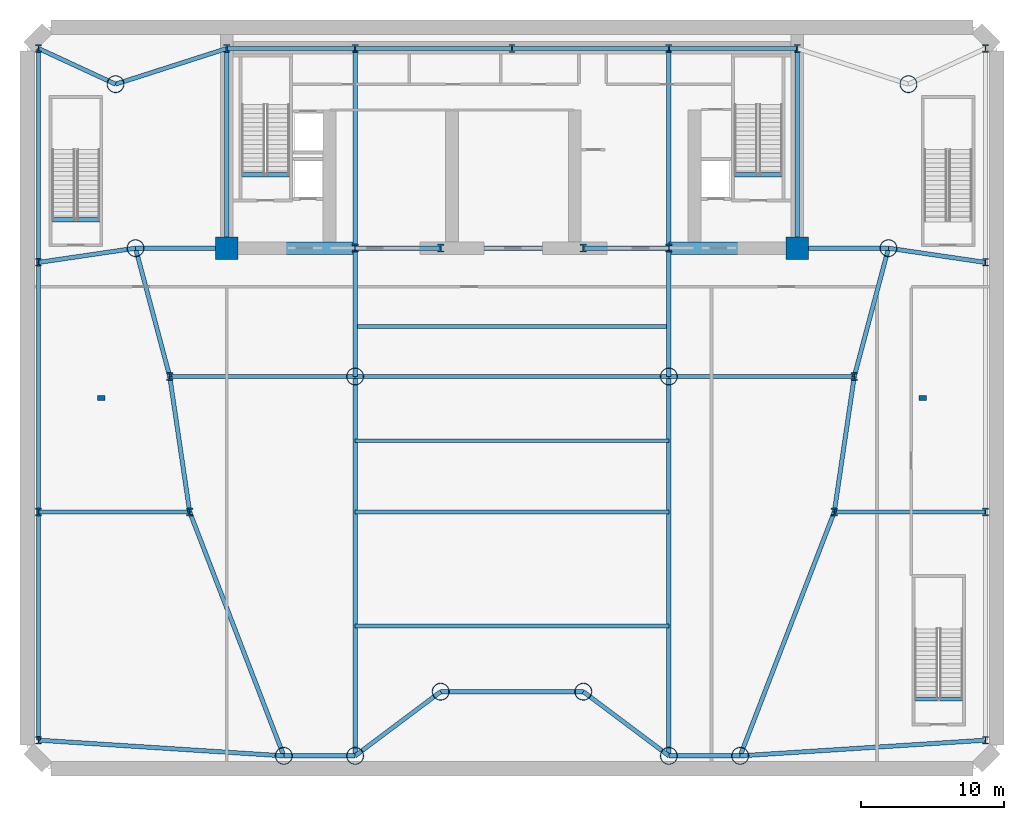
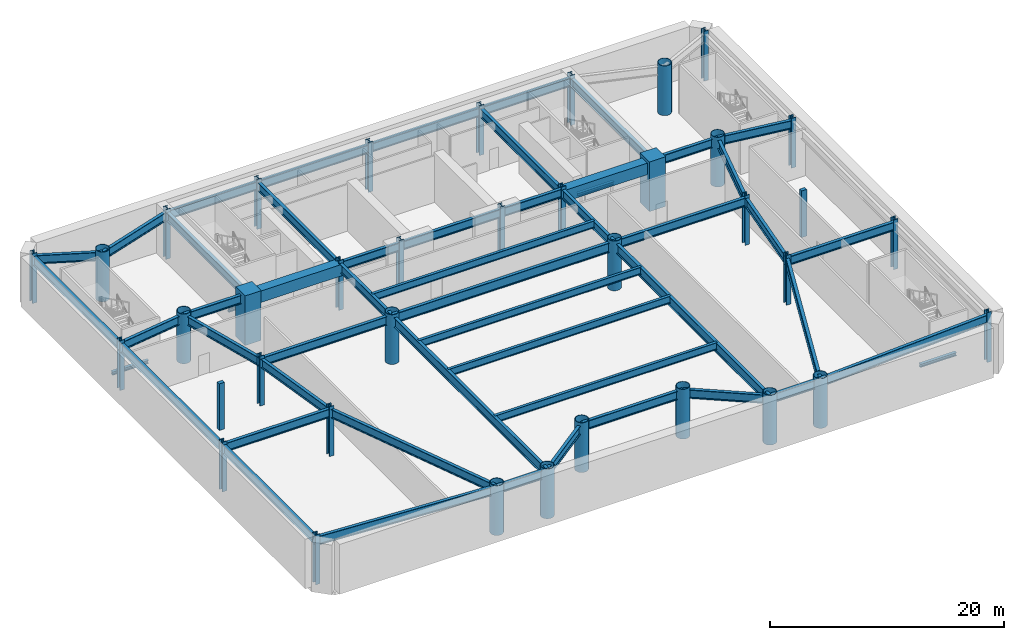
# One storey, part 1 of 9: 52 beams, 37 columns.
"""IFC4 building model written with IfcOpenShell, lengths in metres."""

from ifc_helpers import new_model, si_unit, direction, frame, origin, origin_2d, place, context, subcontext, project, spatial, rectangle, hollow_circle, i_section, extrude, source, transform, mapped, material, material_profile, profile_set, type_object, element, save


model = new_model("IFC4")

# Units and contexts
model_context = context("Model", 3, precision=1e-05, world=origin(), true_north=direction((0.0, 1.0)))
body_context = subcontext(model_context, "Body", "Model", "MODEL_VIEW")
ifc_project = project(units=[si_unit("LENGTHUNIT", "METRE"), si_unit("AREAUNIT", "SQUARE_METRE"), si_unit("VOLUMEUNIT", "CUBIC_METRE"), si_unit("PLANEANGLEUNIT", "RADIAN"), si_unit("MASSUNIT", "GRAM", prefix="KILO")], contexts=[model_context])

# Site, building, storey
site_placement = place(None, origin())
site = spatial("IfcSite", under=ifc_project, at=site_placement, CompositionType="ELEMENT")
building_placement = place(site_placement, origin())
building = spatial("IfcBuilding", under=site, at=building_placement, Name="Vaeldorn Concourse Tower", CompositionType="ELEMENT")
storey_placement = place(building_placement, frame((0.0, 0.0, -10.39990234375)))
storey = spatial("IfcBuildingStorey", under=building, at=storey_placement, Name="B02", CompositionType="ELEMENT", Elevation=-10.39990234375)

# Columns
ifc_material_1 = material(Name="Concrete C60/75", Category="concrete")
ifc_material_profile_1 = material_profile(ifc_material_1, rectangle(XDim=1.60009765625, YDim=1.60009765625, at=origin_2d()), Name="RC 1600x1600")
ifc_profile_set_1 = profile_set([ifc_material_profile_1], Name="Concrete C60/75")
column_type_1 = type_object("IfcColumnType", Name="COL-RC1600", PredefinedType="COLUMN", material=ifc_profile_set_1)
shared_shape_1 = source(origin(), body_context, "Body", "SweptSolid", [
    extrude(rectangle(XDim=1.60009765625, YDim=1.60009765625, at=origin_2d()), origin(), (0.0, 0.0, 1.0), 5.199951171875),
])
for number, where, z_axis, x_axis, name in (
    (1, (14.0, 36.5, 0.0), (0.0, 0.0, 1.0), (1.0, 0.0, 0.0), "Column C-FC1 B02"),
    (2, (54.0, 36.5, 0.0), (0.0, 0.0, 1.0), (1.0, 0.0, 0.0), "Column C-FC6 B02"),
):
    element("IfcColumn", number, at=place(storey_placement, frame(where, z_axis=z_axis, x_axis=x_axis)), inside=storey, type_object=column_type_1, Name=name, PredefinedType="COLUMN", context=body_context, shape_type="MappedRepresentation", body=[
        mapped(shared_shape_1, transform((0.0, 0.0, 0.0), scale=1.0)),
    ])
ifc_material_2 = material(Name="Steel S460", Category="steel")
ifc_material_profile_2 = material_profile(ifc_material_2, i_section(OverallWidth=0.4541015625, OverallDepth=0.569091796875, WebThickness=0.077880859375, FlangeThickness=0.080078125, FilletRadius=0.014892578125, at=origin_2d()), Name="HD 400x1086")
ifc_profile_set_2 = profile_set([ifc_material_profile_2], Name="Steel S460")
column_type_2 = type_object("IfcColumnType", Name="COL-HD1086", PredefinedType="COLUMN", material=ifc_profile_set_2)
shared_shape_2 = source(origin(), body_context, "Body", "SweptSolid", [
    extrude(i_section(OverallWidth=0.4541015625, OverallDepth=0.569091796875, WebThickness=0.077880859375, FlangeThickness=0.080078125, FilletRadius=0.014892578125, at=origin_2d()), origin(), (0.0, 0.0, 1.0), 5.199951171875),
])
for number, where, z_axis, x_axis, name in (
    (3, (23.0, 36.5, 0.0), (0.0, 0.0, 1.0), (1.0, 0.0, 0.0), "Column C-FC2 B02"),
    (4, (29.0, 36.5, 0.0), (0.0, 0.0, 1.0), (1.0, 0.0, 0.0), "Column C-FC3 B02"),
    (5, (39.0, 36.5, 0.0), (0.0, 0.0, 1.0), (1.0, 0.0, 0.0), "Column C-FC4 B02"),
    (6, (45.0, 36.5, 0.0), (0.0, 0.0, 1.0), (1.0, 0.0, 0.0), "Column C-FC5 B02"),
    (7, (14.0, 50.5, 0.0), (0.0, 0.0, 1.0), (1.0, 0.0, 0.0), "Column C-HC1 B02"),
    (8, (23.0, 50.5, 0.0), (0.0, 0.0, 1.0), (1.0, 0.0, 0.0), "Column C-HC2 B02"),
    (9, (34.0, 50.5, 0.0), (0.0, 0.0, 1.0), (1.0, 0.0, 0.0), "Column C-HC3 B02"),
    (10, (45.0, 50.5, 0.0), (0.0, 0.0, 1.0), (1.0, 0.0, 0.0), "Column C-HC4 B02"),
    (11, (54.0, 50.5, 0.0), (0.0, 0.0, 1.0), (1.0, 0.0, 0.0), "Column C-HC5 B02"),
):
    element("IfcColumn", number, at=place(storey_placement, frame(where, z_axis=z_axis, x_axis=x_axis)), inside=storey, type_object=column_type_2, Name=name, PredefinedType="COLUMN", context=body_context, shape_type="MappedRepresentation", body=[
        mapped(shared_shape_2, transform((0.0, 0.0, 0.0), scale=1.0)),
    ])
ifc_material_profile_3 = material_profile(ifc_material_2, hollow_circle(Radius=0.609619140625, WallThickness=0.050048828125, at=origin_2d()), Name="CHS 1219x50")
ifc_profile_set_3 = profile_set([ifc_material_profile_3], Name="Steel S460")
column_type_3 = type_object("IfcColumnType", Name="COL-CHS1219", PredefinedType="COLUMN", material=ifc_profile_set_3)
shared_shape_3 = source(origin(), body_context, "Body", "SweptSolid", [
    extrude(hollow_circle(Radius=0.609619140625, WallThickness=0.050048828125, at=origin_2d()), origin(), (0.0, 0.0, 1.0), 5.199951171875),
])
for number, where, z_axis, x_axis, name in (
    (12, (6.199951171875, 48.0, 0.0), (0.0, 0.0, 1.0), (1.0, 0.0, 0.0), "Column C-NW1 B02"),
    (13, (7.60009765625, 36.5, 0.0), (0.0, 0.0, 1.0), (1.0, 0.0, 0.0), "Column C-NW2 B02"),
    (14, (61.800048828125, 48.0, 0.0), (0.0, 0.0, 1.0), (1.0, 0.0, 0.0), "Column C-NE1 B02"),
    (15, (60.39990234375, 36.5, 0.0), (0.0, 0.0, 1.0), (1.0, 0.0, 0.0), "Column C-NE2 B02"),
    (16, (18.0, 0.89990234375, 0.0), (0.0, 0.0, 1.0), (1.0, 0.0, 0.0), "Column C-SM1 B02"),
    (17, (23.0, 0.89990234375, 0.0), (0.0, 0.0, 1.0), (1.0, 0.0, 0.0), "Column C-SM2 B02"),
    (18, (29.0, 5.39990234375, 0.0), (0.0, 0.0, 1.0), (1.0, 0.0, 0.0), "Column C-SM3 B02"),
    (19, (39.0, 5.39990234375, 0.0), (0.0, 0.0, 1.0), (1.0, 0.0, 0.0), "Column C-SM4 B02"),
    (20, (45.0, 0.89990234375, 0.0), (0.0, 0.0, 1.0), (1.0, 0.0, 0.0), "Column C-SM5 B02"),
    (21, (50.0, 0.89990234375, 0.0), (0.0, 0.0, 1.0), (1.0, 0.0, 0.0), "Column C-SM6 B02"),
    (22, (23.0, 27.5, 0.0), (0.0, 0.0, 1.0), (1.0, 0.0, 0.0), "Column C-TW1 B02"),
    (23, (45.0, 27.5, 0.0), (0.0, 0.0, 1.0), (1.0, 0.0, 0.0), "Column C-TW4 B02"),
):
    element("IfcColumn", number, at=place(storey_placement, frame(where, z_axis=z_axis, x_axis=x_axis)), inside=storey, type_object=column_type_3, Name=name, PredefinedType="COLUMN", context=body_context, shape_type="MappedRepresentation", body=[
        mapped(shared_shape_3, transform((0.0, 0.0, 0.0), scale=1.0)),
    ])
ifc_material_profile_4 = material_profile(ifc_material_2, i_section(OverallWidth=0.44189453125, OverallDepth=0.531005859375, WebThickness=0.06494140625, FlangeThickness=0.075927734375, FilletRadius=0.014892578125, at=origin_2d()), Name="HD 400x900")
ifc_profile_set_4 = profile_set([ifc_material_profile_4], Name="Steel S460")
column_type_4 = type_object("IfcColumnType", Name="COL-HD900F", PredefinedType="COLUMN", material=ifc_profile_set_4)
shared_shape_4 = source(origin(), body_context, "Body", "SweptSolid", [
    extrude(i_section(OverallWidth=0.44189453125, OverallDepth=0.531005859375, WebThickness=0.06494140625, FlangeThickness=0.075927734375, FilletRadius=0.014892578125, at=origin_2d()), origin(), (0.0, 0.0, 1.0), 5.199951171875),
])
for number, where, z_axis, x_axis, name in (
    (24, (0.800048828125, 2.0, 0.0), (0.0, 0.0, 1.0), (1.0, 0.0, 0.0), "Column C-PW1 B02"),
    (25, (0.800048828125, 18.0, 0.0), (0.0, 0.0, 1.0), (1.0, 0.0, 0.0), "Column C-PW2 B02"),
    (26, (0.800048828125, 35.5, 0.0), (0.0, 0.0, 1.0), (1.0, 0.0, 0.0), "Column C-PW3 B02"),
    (27, (0.800048828125, 50.5, 0.0), (0.0, 0.0, 1.0), (1.0, 0.0, 0.0), "Column C-PW4 B02"),
    (28, (67.199951171875, 2.0, 0.0), (0.0, 0.0, 1.0), (1.0, 0.0, 0.0), "Column C-PE1 B02"),
    (29, (67.199951171875, 18.0, 0.0), (0.0, 0.0, 1.0), (1.0, 0.0, 0.0), "Column C-PE2 B02"),
    (30, (67.199951171875, 35.5, 0.0), (0.0, 0.0, 1.0), (1.0, 0.0, 0.0), "Column C-PE3 B02"),
    (31, (67.199951171875, 50.5, 0.0), (0.0, 0.0, 1.0), (1.0, 0.0, 0.0), "Column C-PE4 B02"),
    (32, (10.0, 27.5, 0.0), (0.0, 0.0, 1.0), (1.0, 0.0, 0.0), "Column C-FLW1 B02"),
    (33, (11.39990234375, 18.0, 0.0), (0.0, 0.0, 1.0), (1.0, 0.0, 0.0), "Column C-FLW2 B02"),
    (34, (58.0, 27.5, 0.0), (0.0, 0.0, 1.0), (1.0, 0.0, 0.0), "Column C-FLE1 B02"),
    (35, (56.60009765625, 18.0, 0.0), (0.0, 0.0, 1.0), (1.0, 0.0, 0.0), "Column C-FLE2 B02"),
):
    element("IfcColumn", number, at=place(storey_placement, frame(where, z_axis=z_axis, x_axis=x_axis)), inside=storey, type_object=column_type_4, Name=name, PredefinedType="COLUMN", context=body_context, shape_type="MappedRepresentation", body=[
        mapped(shared_shape_4, transform((0.0, 0.0, 0.0), scale=1.0)),
    ])
ifc_material_3 = material(Name="Concrete C50/60", Category="concrete")
ifc_material_profile_5 = material_profile(ifc_material_3, rectangle(XDim=0.5, YDim=0.35009765625, at=origin_2d()), Name="RC 500x350")
ifc_profile_set_5 = profile_set([ifc_material_profile_5], Name="Concrete C50/60")
column_type_5 = type_object("IfcColumnType", Name="PIL-RC500x350", PredefinedType="PILASTER", material=ifc_profile_set_5)
shared_shape_5 = source(origin(), body_context, "Body", "SweptSolid", [
    extrude(rectangle(XDim=0.5, YDim=0.35009765625, at=origin_2d()), origin(), (0.0, 0.0, 1.0), 4.8798828125),
])
for number, where, z_axis, x_axis, name in (
    (36, (5.199951171875, 26.0, 0.0), (0.0, 0.0, 1.0), (1.0, 0.0, 0.0), "Concourse Structural Pilaster B02-W"),
    (37, (62.800048828125, 26.0, 0.0), (0.0, 0.0, 1.0), (1.0, 0.0, 0.0), "Concourse Structural Pilaster B02-E"),
):
    element("IfcColumn", number, at=place(storey_placement, frame(where, z_axis=z_axis, x_axis=x_axis)), inside=storey, type_object=column_type_5, Name=name, PredefinedType="PILASTER", context=body_context, shape_type="MappedRepresentation", body=[
        mapped(shared_shape_5, transform((0.0, 0.0, 0.0), scale=1.0)),
    ])

# Beams
ifc_material_profile_6 = material_profile(ifc_material_1, rectangle(XDim=0.89990234375, YDim=1.199951171875, at=origin_2d()), Name="RC 900x1200")
ifc_profile_set_6 = profile_set([ifc_material_profile_6], Name="Concrete C60/75")
beam_type_1 = type_object("IfcBeamType", Name="BM-CB-RC900", PredefinedType="BEAM", material=ifc_profile_set_6)
shared_shape_6 = source(origin(), body_context, "Body", "SweptSolid", [
    extrude(rectangle(XDim=0.89990234375, YDim=1.199951171875, at=origin_2d()), origin(), (0.0, 0.0, 1.0), 9.0),
])
for number, where, z_axis, x_axis, name in (
    (38, (14.0, 36.5, 4.27978515625), (1.0, 0.0, 0.0), (0.0, 1.0, 0.0), "Core Coupling Beam B02-1"),
    (39, (45.0, 36.5, 4.27978515625), (1.0, 0.0, 0.0), (0.0, 1.0, 0.0), "Core Coupling Beam B02-2"),
):
    element("IfcBeam", number, at=place(storey_placement, frame(where, z_axis=z_axis, x_axis=x_axis)), inside=storey, type_object=beam_type_1, Name=name, PredefinedType="BEAM", context=body_context, shape_type="MappedRepresentation", body=[
        mapped(shared_shape_6, transform((0.0, 0.0, 0.0), scale=1.0)),
    ])
ifc_material_4 = material(Name="Steel S355", Category="steel")
ifc_material_profile_7 = material_profile(ifc_material_4, i_section(OverallWidth=0.300048828125, OverallDepth=0.340087890625, WebThickness=0.011962890625, FlangeThickness=0.021484375, FilletRadius=0.027099609375, at=origin_2d()), Name="HEB 340")
ifc_profile_set_7 = profile_set([ifc_material_profile_7], Name="Steel S355")
beam_type_2 = type_object("IfcBeamType", Name="BM-ST-TRIM", PredefinedType="BEAM", material=ifc_profile_set_7)
shared_shape_7 = source(origin(), body_context, "Body", "SweptSolid", [
    extrude(i_section(OverallWidth=0.300048828125, OverallDepth=0.340087890625, WebThickness=0.011962890625, FlangeThickness=0.021484375, FilletRadius=0.027099609375, at=origin_2d()), origin(), (0.0, 0.0, 1.0), 3.590087890625),
])
for number, where, z_axis, x_axis, name in (
    (40, (14.929931640625, 41.639892578125, -0.489990234375), (1.0, 0.0, 0.0), (0.0, 1.0, 0.0), "Stair Landing Trimmer Beam ST-1 B02"),
    (41, (49.47998046875, 41.639892578125, -0.489990234375), (1.0, 0.0, 0.0), (0.0, 1.0, 0.0), "Stair Landing Trimmer Beam ST-2 B02"),
    (42, (1.6298828125, 38.489990234375, -0.489990234375), (1.0, 0.0, 0.0), (0.0, 1.0, 0.0), "Stair Landing Trimmer Beam ST-3 B02"),
    (43, (62.1298828125, 4.889892578125, -0.489990234375), (1.0, 0.0, 0.0), (0.0, 1.0, 0.0), "Stair Landing Trimmer Beam ST-5 B02"),
):
    element("IfcBeam", number, at=place(storey_placement, frame(where, z_axis=z_axis, x_axis=x_axis)), inside=storey, type_object=beam_type_2, Name=name, PredefinedType="BEAM", context=body_context, shape_type="MappedRepresentation", body=[
        mapped(shared_shape_7, transform((0.0, 0.0, 0.0), scale=1.0)),
    ])
ifc_material_profile_8 = material_profile(ifc_material_4, i_section(OverallWidth=0.302001953125, OverallDepth=0.909912109375, WebThickness=0.02099609375, FlangeThickness=0.0400390625, FilletRadius=0.030029296875, at=origin_2d()), Name="HEM 900")
ifc_profile_set_8 = profile_set([ifc_material_profile_8], Name="Steel S355")
beam_type_3 = type_object("IfcBeamType", Name="BM-PG-HEM900", PredefinedType="BEAM", material=ifc_profile_set_8)
shared_shape_8 = source(origin(), body_context, "Body", "SweptSolid", [
    extrude(i_section(OverallWidth=0.302001953125, OverallDepth=0.909912109375, WebThickness=0.02099609375, FlangeThickness=0.0400390625, FilletRadius=0.030029296875, at=origin_2d()), origin(), (0.0, 0.0, 1.0), 6.0),
])
for number, where, z_axis, x_axis, name in (
    (44, (23.0, 36.5, 4.4248046875), (1.0, 0.0, 0.0), (0.0, 1.0, 0.0), "Beam BM-B02-C-FC2-C-FC3"),
    (45, (39.0, 36.5, 4.4248046875), (1.0, 0.0, 0.0), (0.0, 1.0, 0.0), "Beam BM-B02-C-FC4-C-FC5"),
):
    element("IfcBeam", number, at=place(storey_placement, frame(where, z_axis=z_axis, x_axis=x_axis)), inside=storey, type_object=beam_type_3, Name=name, PredefinedType="BEAM", context=body_context, shape_type="MappedRepresentation", body=[
        mapped(shared_shape_8, transform((0.0, 0.0, 0.0), scale=1.0)),
    ])
shared_shape_9 = source(origin(), body_context, "Body", "SweptSolid", [
    extrude(i_section(OverallWidth=0.302001953125, OverallDepth=0.909912109375, WebThickness=0.02099609375, FlangeThickness=0.0400390625, FilletRadius=0.030029296875, at=origin_2d()), origin(), (0.0, 0.0, 1.0), 10.0),
])
for number, where, z_axis, x_axis, name in (
    (46, (29.0, 36.5, 4.4248046875), (1.0, 0.0, 0.0), (0.0, 1.0, 0.0), "Beam BM-B02-C-FC3-C-FC4"),
    (47, (29.0, 5.39990234375, 4.4248046875), (1.0, 0.0, 0.0), (0.0, 1.0, 0.0), "Beam BM-B02-C-SM3-C-SM4"),
):
    element("IfcBeam", number, at=place(storey_placement, frame(where, z_axis=z_axis, x_axis=x_axis)), inside=storey, type_object=beam_type_3, Name=name, PredefinedType="BEAM", context=body_context, shape_type="MappedRepresentation", body=[
        mapped(shared_shape_9, transform((0.0, 0.0, 0.0), scale=1.0)),
    ])
shared_shape_10 = source(origin(), body_context, "Body", "SweptSolid", [
    extrude(i_section(OverallWidth=0.302001953125, OverallDepth=0.909912109375, WebThickness=0.02099609375, FlangeThickness=0.0400390625, FilletRadius=0.030029296875, at=origin_2d()), origin(), (0.0, 0.0, 1.0), 9.0),
])
for number, where, z_axis, x_axis, name in (
    (48, (14.0, 50.5, 4.4248046875), (1.0, 0.0, 0.0), (0.0, 1.0, 0.0), "Beam BM-B02-C-HC1-C-HC2"),
    (49, (45.0, 50.5, 4.4248046875), (1.0, 0.0, 0.0), (0.0, 1.0, 0.0), "Beam BM-B02-C-HC4-C-HC5"),
    (50, (23.0, 27.5, 4.4248046875), (0.0, 1.0, 0.0), (-1.0, 0.0, 0.0), "Beam BM-B02-C-TW1-C-FC2"),
    (51, (45.0, 27.5, 4.4248046875), (0.0, 1.0, 0.0), (-1.0, 0.0, 0.0), "Beam BM-B02-C-TW4-C-FC5"),
):
    element("IfcBeam", number, at=place(storey_placement, frame(where, z_axis=z_axis, x_axis=x_axis)), inside=storey, type_object=beam_type_3, Name=name, PredefinedType="BEAM", context=body_context, shape_type="MappedRepresentation", body=[
        mapped(shared_shape_10, transform((0.0, 0.0, 0.0), scale=1.0)),
    ])
shared_shape_11 = source(origin(), body_context, "Body", "SweptSolid", [
    extrude(i_section(OverallWidth=0.302001953125, OverallDepth=0.909912109375, WebThickness=0.02099609375, FlangeThickness=0.0400390625, FilletRadius=0.030029296875, at=origin_2d()), origin(), (0.0, 0.0, 1.0), 11.0),
])
for number, where, z_axis, x_axis, name in (
    (52, (23.0, 50.5, 4.4248046875), (1.0, 0.0, 0.0), (0.0, 1.0, 0.0), "Beam BM-B02-C-HC2-C-HC3"),
    (53, (34.0, 50.5, 4.4248046875), (1.0, 0.0, 0.0), (0.0, 1.0, 0.0), "Beam BM-B02-C-HC3-C-HC4"),
):
    element("IfcBeam", number, at=place(storey_placement, frame(where, z_axis=z_axis, x_axis=x_axis)), inside=storey, type_object=beam_type_3, Name=name, PredefinedType="BEAM", context=body_context, shape_type="MappedRepresentation", body=[
        mapped(shared_shape_11, transform((0.0, 0.0, 0.0), scale=1.0)),
    ])
shared_shape_12 = source(origin(), body_context, "Body", "SweptSolid", [
    extrude(i_section(OverallWidth=0.302001953125, OverallDepth=0.909912109375, WebThickness=0.02099609375, FlangeThickness=0.0400390625, FilletRadius=0.030029296875, at=origin_2d()), origin(), (0.0, 0.0, 1.0), 14.0),
])
for number, where, z_axis, x_axis, name in (
    (54, (14.0, 36.5, 4.4248046875), (0.0, 1.0, 0.0), (-1.0, 0.0, 0.0), "Beam BM-B02-C-FC1-C-HC1"),
    (55, (23.0, 36.5, 4.4248046875), (0.0, 1.0, 0.0), (-1.0, 0.0, 0.0), "Beam BM-B02-C-FC2-C-HC2"),
    (56, (45.0, 36.5, 4.4248046875), (0.0, 1.0, 0.0), (-1.0, 0.0, 0.0), "Beam BM-B02-C-FC5-C-HC4"),
    (57, (54.0, 36.5, 4.4248046875), (0.0, 1.0, 0.0), (-1.0, 0.0, 0.0), "Beam BM-B02-C-FC6-C-HC5"),
):
    element("IfcBeam", number, at=place(storey_placement, frame(where, z_axis=z_axis, x_axis=x_axis)), inside=storey, type_object=beam_type_3, Name=name, PredefinedType="BEAM", context=body_context, shape_type="MappedRepresentation", body=[
        mapped(shared_shape_12, transform((0.0, 0.0, 0.0), scale=1.0)),
    ])
shared_shape_13 = source(origin(), body_context, "Body", "SweptSolid", [
    extrude(i_section(OverallWidth=0.302001953125, OverallDepth=0.909912109375, WebThickness=0.02099609375, FlangeThickness=0.0400390625, FilletRadius=0.030029296875, at=origin_2d()), origin(), (0.0, 0.0, 1.0), 16.0),
])
beam_1_placement = place(storey_placement, frame((0.800048828125, 2.0, 4.4248046875), z_axis=(0.0, 1.0, 0.0), x_axis=(-1.0, 0.0, 0.0)))
element("IfcBeam", 58, at=beam_1_placement, inside=storey, type_object=beam_type_3, Name="Beam BM-B02-C-PW1-C-PW2", PredefinedType="BEAM", context=body_context, shape_type="MappedRepresentation", body=[
    mapped(shared_shape_13, transform((0.0, 0.0, 0.0), scale=1.0)),
])
shared_shape_14 = source(origin(), body_context, "Body", "SweptSolid", [
    extrude(i_section(OverallWidth=0.302001953125, OverallDepth=0.909912109375, WebThickness=0.02099609375, FlangeThickness=0.0400390625, FilletRadius=0.030029296875, at=origin_2d()), origin(), (0.0, 0.0, 1.0), 17.5),
])
beam_2_placement = place(storey_placement, frame((0.800048828125, 18.0, 4.4248046875), z_axis=(0.0, 1.0, 0.0), x_axis=(-1.0, 0.0, 0.0)))
element("IfcBeam", 59, at=beam_2_placement, inside=storey, type_object=beam_type_3, Name="Beam BM-B02-C-PW2-C-PW3", PredefinedType="BEAM", context=body_context, shape_type="MappedRepresentation", body=[
    mapped(shared_shape_14, transform((0.0, 0.0, 0.0), scale=1.0)),
])
shared_shape_15 = source(origin(), body_context, "Body", "SweptSolid", [
    extrude(i_section(OverallWidth=0.302001953125, OverallDepth=0.909912109375, WebThickness=0.02099609375, FlangeThickness=0.0400390625, FilletRadius=0.030029296875, at=origin_2d()), origin(), (0.0, 0.0, 1.0), 15.0),
])
beam_3_placement = place(storey_placement, frame((0.800048828125, 35.5, 4.4248046875), z_axis=(0.0, 1.0, 0.0), x_axis=(-1.0, 0.0, 0.0)))
element("IfcBeam", 60, at=beam_3_placement, inside=storey, type_object=beam_type_3, Name="Beam BM-B02-C-PW3-C-PW4", PredefinedType="BEAM", context=body_context, shape_type="MappedRepresentation", body=[
    mapped(shared_shape_15, transform((0.0, 0.0, 0.0), scale=1.0)),
])
shared_shape_16 = source(origin(), body_context, "Body", "SweptSolid", [
    extrude(i_section(OverallWidth=0.302001953125, OverallDepth=0.909912109375, WebThickness=0.02099609375, FlangeThickness=0.0400390625, FilletRadius=0.030029296875, at=origin_2d()), origin(), (0.0, 0.0, 1.0), 5.0),
])
for number, where, z_axis, x_axis, name in (
    (61, (18.0, 0.89990234375, 4.4248046875), (1.0, 0.0, 0.0), (0.0, 1.0, 0.0), "Beam BM-B02-C-SM1-C-SM2"),
    (62, (45.0, 0.89990234375, 4.4248046875), (1.0, 0.0, 0.0), (0.0, 1.0, 0.0), "Beam BM-B02-C-SM5-C-SM6"),
):
    element("IfcBeam", number, at=place(storey_placement, frame(where, z_axis=z_axis, x_axis=x_axis)), inside=storey, type_object=beam_type_3, Name=name, PredefinedType="BEAM", context=body_context, shape_type="MappedRepresentation", body=[
        mapped(shared_shape_16, transform((0.0, 0.0, 0.0), scale=1.0)),
    ])
shared_shape_17 = source(origin(), body_context, "Body", "SweptSolid", [
    extrude(i_section(OverallWidth=0.302001953125, OverallDepth=0.909912109375, WebThickness=0.02099609375, FlangeThickness=0.0400390625, FilletRadius=0.030029296875, at=origin_2d()), origin(), (0.0, 0.0, 1.0), 7.5),
])
for number, where, z_axis, x_axis, name in (
    (63, (23.0, 0.89990234375, 4.4248046875), (0.8, 0.6, 0.0), (-0.6, 0.8, 0.0), "Beam BM-B02-C-SM2-C-SM3"),
    (64, (39.0, 5.39990234375, 4.4248046875), (0.8, -0.6, 0.0), (0.6, 0.8, 0.0), "Beam BM-B02-C-SM4-C-SM5"),
):
    element("IfcBeam", number, at=place(storey_placement, frame(where, z_axis=z_axis, x_axis=x_axis)), inside=storey, type_object=beam_type_3, Name=name, PredefinedType="BEAM", context=body_context, shape_type="MappedRepresentation", body=[
        mapped(shared_shape_17, transform((0.0, 0.0, 0.0), scale=1.0)),
    ])
shared_shape_18 = source(origin(), body_context, "Body", "SweptSolid", [
    extrude(i_section(OverallWidth=0.302001953125, OverallDepth=0.909912109375, WebThickness=0.02099609375, FlangeThickness=0.0400390625, FilletRadius=0.030029296875, at=origin_2d()), origin(), (0.0, 0.0, 1.0), 17.235107421875),
])
for number, where, z_axis, x_axis, name in (
    (65, (0.800048828125, 2.0, 4.4248046875), (0.997960855094, -0.063828925254, 0.0), (0.063828925254, 0.997960855094, 0.0), "Beam BM-B02-C-PW1-C-SM1"),
    (66, (50.0, 0.89990234375, 4.4248046875), (0.997960855094, 0.063828925254, 0.0), (-0.063828925254, 0.997960855094, 0.0), "Beam BM-B02-C-SM6-C-PE1"),
):
    element("IfcBeam", number, at=place(storey_placement, frame(where, z_axis=z_axis, x_axis=x_axis)), inside=storey, type_object=beam_type_3, Name=name, PredefinedType="BEAM", context=body_context, shape_type="MappedRepresentation", body=[
        mapped(shared_shape_18, transform((0.0, 0.0, 0.0), scale=1.0)),
    ])
shared_shape_19 = source(origin(), body_context, "Body", "SweptSolid", [
    extrude(i_section(OverallWidth=0.302001953125, OverallDepth=0.909912109375, WebThickness=0.02099609375, FlangeThickness=0.0400390625, FilletRadius=0.030029296875, at=origin_2d()), origin(), (0.0, 0.0, 1.0), 6.873291015625),
])
for number, where, z_axis, x_axis, name in (
    (67, (0.800048828125, 35.5, 4.4248046875), (0.989359285749, 0.145492967882, 0.0), (-0.145492967882, 0.989359285749, 0.0), "Beam BM-B02-C-PW3-C-NW2"),
    (68, (60.39990234375, 36.5, 4.4248046875), (0.989359285749, -0.145492967882, 0.0), (0.145492967882, 0.989359285749, 0.0), "Beam BM-B02-C-NE2-C-PE3"),
):
    element("IfcBeam", number, at=place(storey_placement, frame(where, z_axis=z_axis, x_axis=x_axis)), inside=storey, type_object=beam_type_3, Name=name, PredefinedType="BEAM", context=body_context, shape_type="MappedRepresentation", body=[
        mapped(shared_shape_19, transform((0.0, 0.0, 0.0), scale=1.0)),
    ])
shared_shape_20 = source(origin(), body_context, "Body", "SweptSolid", [
    extrude(i_section(OverallWidth=0.302001953125, OverallDepth=0.909912109375, WebThickness=0.02099609375, FlangeThickness=0.0400390625, FilletRadius=0.030029296875, at=origin_2d()), origin(), (0.0, 0.0, 1.0), 6.39990234375),
])
for number, where, z_axis, x_axis, name in (
    (69, (7.60009765625, 36.5, 4.4248046875), (1.0, 0.0, 0.0), (0.0, 1.0, 0.0), "Beam BM-B02-C-NW2-C-FC1"),
    (70, (54.0, 36.5, 4.4248046875), (1.0, 0.0, 0.0), (0.0, 1.0, 0.0), "Beam BM-B02-C-FC6-C-NE2"),
):
    element("IfcBeam", number, at=place(storey_placement, frame(where, z_axis=z_axis, x_axis=x_axis)), inside=storey, type_object=beam_type_3, Name=name, PredefinedType="BEAM", context=body_context, shape_type="MappedRepresentation", body=[
        mapped(shared_shape_20, transform((0.0, 0.0, 0.0), scale=1.0)),
    ])
shared_shape_21 = source(origin(), body_context, "Body", "SweptSolid", [
    extrude(i_section(OverallWidth=0.302001953125, OverallDepth=0.909912109375, WebThickness=0.02099609375, FlangeThickness=0.0400390625, FilletRadius=0.030029296875, at=origin_2d()), origin(), (0.0, 0.0, 1.0), 5.950439453125),
])
beam_4_placement = place(storey_placement, frame((0.800048828125, 50.5, 4.4248046875), z_axis=(0.907464010437, -0.420129824888, 0.0), x_axis=(0.420129824888, 0.907464010437, 0.0)))
element("IfcBeam", 71, at=beam_4_placement, inside=storey, type_object=beam_type_3, Name="Beam BM-B02-C-PW4-C-NW1", PredefinedType="BEAM", context=body_context, shape_type="MappedRepresentation", body=[
    mapped(shared_shape_21, transform((0.0, 0.0, 0.0), scale=1.0)),
])
shared_shape_22 = source(origin(), body_context, "Body", "SweptSolid", [
    extrude(i_section(OverallWidth=0.302001953125, OverallDepth=0.909912109375, WebThickness=0.02099609375, FlangeThickness=0.0400390625, FilletRadius=0.030029296875, at=origin_2d()), origin(), (0.0, 0.0, 1.0), 8.19091796875),
])
beam_5_placement = place(storey_placement, frame((6.199951171875, 48.0, 4.4248046875), z_axis=(0.952282843383, 0.305216949396, 0.0), x_axis=(-0.305216949396, 0.952282843383, 0.0)))
element("IfcBeam", 72, at=beam_5_placement, inside=storey, type_object=beam_type_3, Name="Beam BM-B02-C-NW1-C-HC1", PredefinedType="BEAM", context=body_context, shape_type="MappedRepresentation", body=[
    mapped(shared_shape_22, transform((0.0, 0.0, 0.0), scale=1.0)),
])
shared_shape_23 = source(origin(), body_context, "Body", "SweptSolid", [
    extrude(i_section(OverallWidth=0.302001953125, OverallDepth=0.909912109375, WebThickness=0.02099609375, FlangeThickness=0.0400390625, FilletRadius=0.030029296875, at=origin_2d()), origin(), (0.0, 0.0, 1.0), 9.314453125),
])
for number, where, z_axis, x_axis, name in (
    (73, (7.60009765625, 36.5, 4.4248046875), (0.257652862255, -0.966237549763, 0.0), (0.966237549763, 0.257652862255, 0.0), "Beam BM-B02-C-NW2-C-FLW1"),
    (74, (60.39990234375, 36.5, 4.4248046875), (-0.257652862255, -0.966237549763, 0.0), (0.966237549763, -0.257652862255, 0.0), "Beam BM-B02-C-NE2-C-FLE1"),
):
    element("IfcBeam", number, at=place(storey_placement, frame(where, z_axis=z_axis, x_axis=x_axis)), inside=storey, type_object=beam_type_3, Name=name, PredefinedType="BEAM", context=body_context, shape_type="MappedRepresentation", body=[
        mapped(shared_shape_23, transform((0.0, 0.0, 0.0), scale=1.0)),
    ])
shared_shape_24 = source(origin(), body_context, "Body", "SweptSolid", [
    extrude(i_section(OverallWidth=0.302001953125, OverallDepth=0.909912109375, WebThickness=0.02099609375, FlangeThickness=0.0400390625, FilletRadius=0.030029296875, at=origin_2d()), origin(), (0.0, 0.0, 1.0), 9.6025390625),
])
for number, where, z_axis, x_axis, name in (
    (75, (10.0, 27.5, 4.4248046875), (0.145783835977, -0.989316467652, 0.0), (0.989316467652, 0.145783835977, 0.0), "Beam BM-B02-C-FLW1-C-FLW2"),
    (76, (58.0, 27.5, 4.4248046875), (-0.145783835977, -0.989316467652, 0.0), (0.989316467652, -0.145783835977, 0.0), "Beam BM-B02-C-FLE1-C-FLE2"),
):
    element("IfcBeam", number, at=place(storey_placement, frame(where, z_axis=z_axis, x_axis=x_axis)), inside=storey, type_object=beam_type_3, Name=name, PredefinedType="BEAM", context=body_context, shape_type="MappedRepresentation", body=[
        mapped(shared_shape_24, transform((0.0, 0.0, 0.0), scale=1.0)),
    ])
shared_shape_25 = source(origin(), body_context, "Body", "SweptSolid", [
    extrude(i_section(OverallWidth=0.302001953125, OverallDepth=0.909912109375, WebThickness=0.02099609375, FlangeThickness=0.0400390625, FilletRadius=0.030029296875, at=origin_2d()), origin(), (0.0, 0.0, 1.0), 18.32958984375),
])
for number, where, z_axis, x_axis, name in (
    (77, (11.39990234375, 18.0, 4.4248046875), (0.36007844134, -0.932922031084, 0.0), (0.932922031084, 0.36007844134, 0.0), "Beam BM-B02-C-FLW2-C-SM1"),
    (78, (56.60009765625, 18.0, 4.4248046875), (-0.36007844134, -0.932922031084, 0.0), (0.932922031084, -0.36007844134, 0.0), "Beam BM-B02-C-FLE2-C-SM6"),
):
    element("IfcBeam", number, at=place(storey_placement, frame(where, z_axis=z_axis, x_axis=x_axis)), inside=storey, type_object=beam_type_3, Name=name, PredefinedType="BEAM", context=body_context, shape_type="MappedRepresentation", body=[
        mapped(shared_shape_25, transform((0.0, 0.0, 0.0), scale=1.0)),
    ])
ifc_material_profile_9 = material_profile(ifc_material_2, i_section(OverallWidth=0.302001953125, OverallDepth=1.008056640625, WebThickness=0.02099609375, FlangeThickness=0.0400390625, FilletRadius=0.030029296875, at=origin_2d()), Name="HEM 1000")
ifc_profile_set_9 = profile_set([ifc_material_profile_9], Name="Steel S460")
beam_type_4 = type_object("IfcBeamType", Name="BM-TG-HEM1000", PredefinedType="BEAM", material=ifc_profile_set_9)
shared_shape_26 = source(origin(), body_context, "Body", "SweptSolid", [
    extrude(i_section(OverallWidth=0.302001953125, OverallDepth=1.008056640625, WebThickness=0.02099609375, FlangeThickness=0.0400390625, FilletRadius=0.030029296875, at=origin_2d()), origin(), (0.0, 0.0, 1.0), 26.60009765625),
])
for number, where, z_axis, x_axis, name in (
    (79, (23.0, 0.89990234375, 4.3759765625), (0.0, 1.0, 0.0), (-1.0, 0.0, 0.0), "Beam BM-B02-C-SM2-C-TW1"),
    (80, (45.0, 0.89990234375, 4.3759765625), (0.0, 1.0, 0.0), (-1.0, 0.0, 0.0), "Beam BM-B02-C-SM5-C-TW4"),
):
    element("IfcBeam", number, at=place(storey_placement, frame(where, z_axis=z_axis, x_axis=x_axis)), inside=storey, type_object=beam_type_4, Name=name, PredefinedType="BEAM", context=body_context, shape_type="MappedRepresentation", body=[
        mapped(shared_shape_26, transform((0.0, 0.0, 0.0), scale=1.0)),
    ])
shared_shape_27 = source(origin(), body_context, "Body", "SweptSolid", [
    extrude(i_section(OverallWidth=0.302001953125, OverallDepth=1.008056640625, WebThickness=0.02099609375, FlangeThickness=0.0400390625, FilletRadius=0.030029296875, at=origin_2d()), origin(), (0.0, 0.0, 1.0), 22.0),
])
beam_6_placement = place(storey_placement, frame((23.0, 27.5, 4.3759765625), z_axis=(1.0, 0.0, 0.0), x_axis=(0.0, 1.0, 0.0)))
element("IfcBeam", 81, at=beam_6_placement, inside=storey, type_object=beam_type_4, Name="Beam BM-B02-C-TW1-C-TW4", PredefinedType="BEAM", context=body_context, shape_type="MappedRepresentation", body=[
    mapped(shared_shape_27, transform((0.0, 0.0, 0.0), scale=1.0)),
])
shared_shape_28 = source(origin(), body_context, "Body", "SweptSolid", [
    extrude(i_section(OverallWidth=0.302001953125, OverallDepth=0.909912109375, WebThickness=0.02099609375, FlangeThickness=0.0400390625, FilletRadius=0.030029296875, at=origin_2d()), origin(), (0.0, 0.0, 1.0), 13.0),
])
for number, where, z_axis, x_axis, name in (
    (82, (10.0, 27.5, 4.4248046875), (1.0, 0.0, 0.0), (0.0, 1.0, 0.0), "Beam BM-B02-C-FLW1-C-TW1"),
    (83, (45.0, 27.5, 4.4248046875), (1.0, 0.0, 0.0), (0.0, 1.0, 0.0), "Beam BM-B02-C-TW4-C-FLE1"),
):
    element("IfcBeam", number, at=place(storey_placement, frame(where, z_axis=z_axis, x_axis=x_axis)), inside=storey, type_object=beam_type_3, Name=name, PredefinedType="BEAM", context=body_context, shape_type="MappedRepresentation", body=[
        mapped(shared_shape_28, transform((0.0, 0.0, 0.0), scale=1.0)),
    ])
shared_shape_29 = source(origin(), body_context, "Body", "SweptSolid", [
    extrude(i_section(OverallWidth=0.302001953125, OverallDepth=0.909912109375, WebThickness=0.02099609375, FlangeThickness=0.0400390625, FilletRadius=0.030029296875, at=origin_2d()), origin(), (0.0, 0.0, 1.0), 10.599853515625),
])
for number, where, z_axis, x_axis, name in (
    (84, (0.800048828125, 18.0, 4.4248046875), (1.0, 0.0, 0.0), (0.0, 1.0, 0.0), "Beam BM-B02-C-PW2-C-FLW2"),
    (85, (67.199951171875, 18.0, 4.4248046875), (-1.0, 0.0, 0.0), (0.0, -1.0, 0.0), "Beam BM-B02-C-PE2-C-FLE2"),
):
    element("IfcBeam", number, at=place(storey_placement, frame(where, z_axis=z_axis, x_axis=x_axis)), inside=storey, type_object=beam_type_3, Name=name, PredefinedType="BEAM", context=body_context, shape_type="MappedRepresentation", body=[
        mapped(shared_shape_29, transform((0.0, 0.0, 0.0), scale=1.0)),
    ])
ifc_material_profile_10 = material_profile(ifc_material_4, i_section(OverallWidth=0.26708984375, OverallDepth=0.761962890625, WebThickness=0.014404296875, FlangeThickness=0.021484375, FilletRadius=0.01708984375, at=origin_2d()), Name="IPE 750x173")
ifc_profile_set_10 = profile_set([ifc_material_profile_10], Name="Steel S355")
beam_type_5 = type_object("IfcBeamType", Name="BM-JS-IPE750", PredefinedType="JOIST", material=ifc_profile_set_10)
shared_shape_30 = source(origin(), body_context, "Body", "SweptSolid", [
    extrude(i_section(OverallWidth=0.26708984375, OverallDepth=0.761962890625, WebThickness=0.014404296875, FlangeThickness=0.021484375, FilletRadius=0.01708984375, at=origin_2d()), origin(), (0.0, 0.0, 1.0), 22.0),
])
for number, where, z_axis, x_axis, name in (
    (86, (23.0, 10.0, 4.4990234375), (1.0, 0.0, 0.0), (0.0, 1.0, 0.0), "Beam JS-B02-C-10"),
    (87, (23.0, 18.0, 4.4990234375), (1.0, 0.0, 0.0), (0.0, 1.0, 0.0), "Beam JS-B02-C-18"),
    (88, (23.0, 23.0, 4.4990234375), (1.0, 0.0, 0.0), (0.0, 1.0, 0.0), "Beam JS-B02-C-23"),
    (89, (23.0, 31.0, 4.4990234375), (1.0, 0.0, 0.0), (0.0, 1.0, 0.0), "Beam JS-B02-C-31"),
):
    element("IfcBeam", number, at=place(storey_placement, frame(where, z_axis=z_axis, x_axis=x_axis)), inside=storey, type_object=beam_type_5, Name=name, PredefinedType="JOIST", context=body_context, shape_type="MappedRepresentation", body=[
        mapped(shared_shape_30, transform((0.0, 0.0, 0.0), scale=1.0)),
    ])

save(model, "model.ifc")
